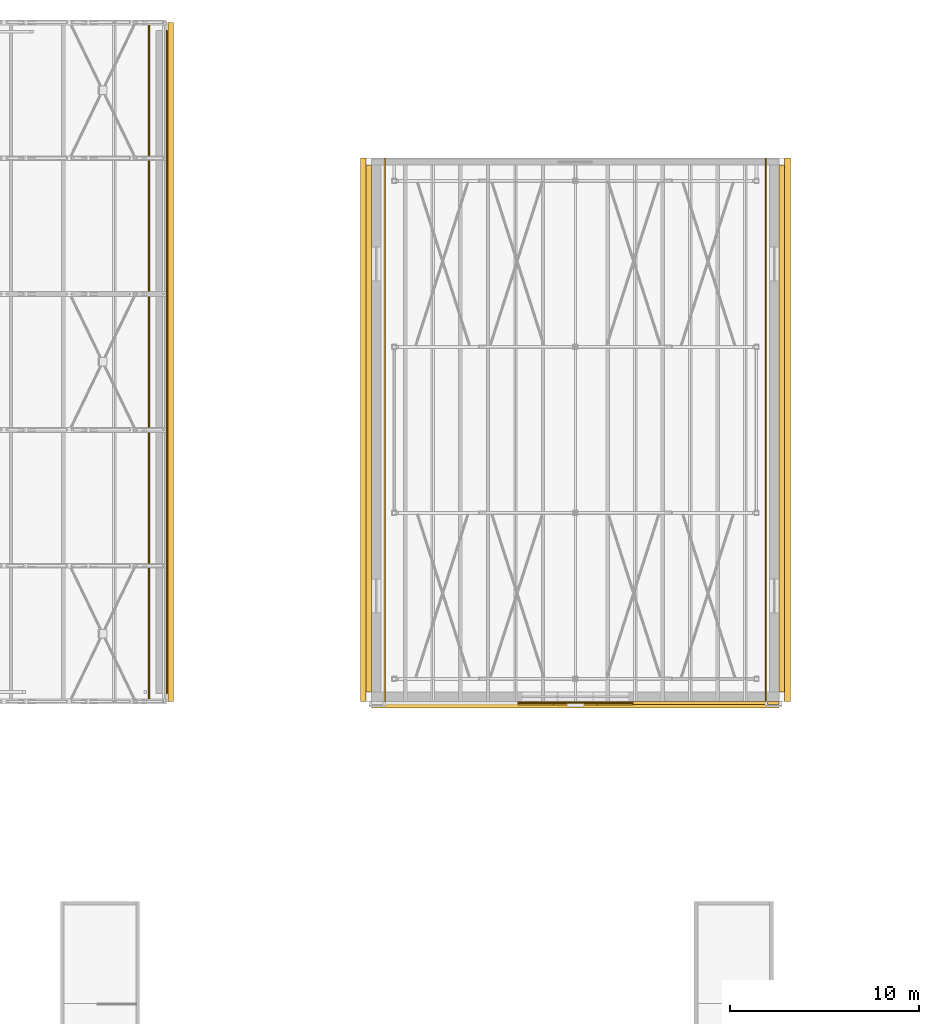
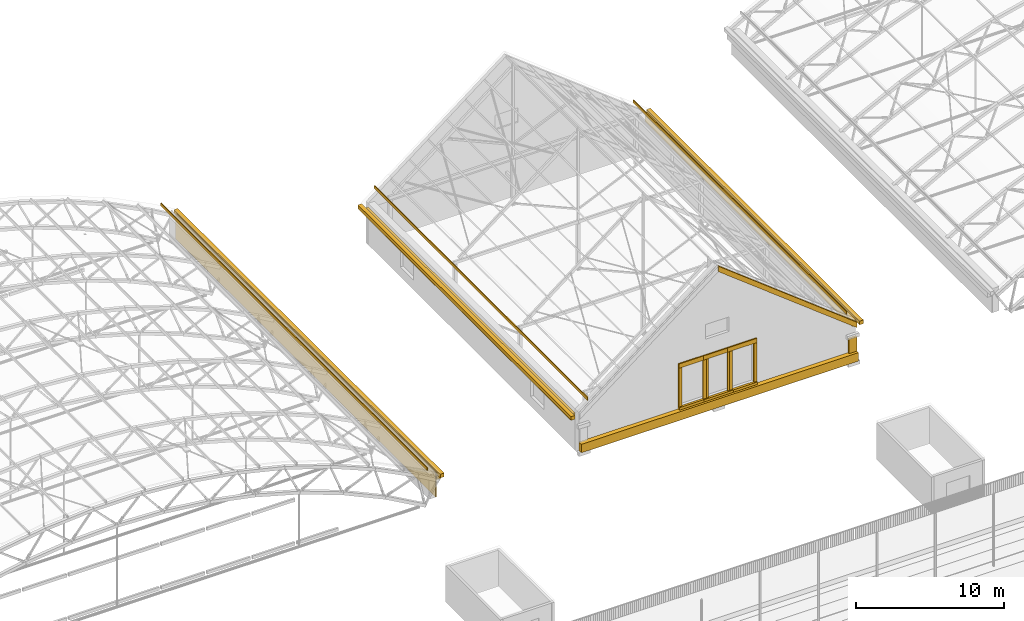
# One storey, part 124 of 127: 25 coverings.
"""IFC4 building model written with IfcOpenShell, lengths in metres."""

from ifc_helpers import new_model, si_unit, direction, frame, origin, origin_2d, place, context, subcontext, project, spatial, polyline, rectangle, outline, extrude, material, layer, layer_set, type_object, element, save


model = new_model("IFC4")

# Units and contexts
model_context = context("Model", 3, precision=1e-05, world=origin(), true_north=direction((0.0, 1.0)))
body_context = subcontext(model_context, "Body", "Model", "MODEL_VIEW")
ifc_project = project(units=[si_unit("LENGTHUNIT", "METRE"), si_unit("AREAUNIT", "SQUARE_METRE"), si_unit("VOLUMEUNIT", "CUBIC_METRE"), si_unit("PLANEANGLEUNIT", "RADIAN"), si_unit("MASSUNIT", "GRAM", prefix="KILO")], contexts=[model_context])

# Site, building, storey
site_placement = place(None, origin())
site = spatial("IfcSite", under=ifc_project, at=site_placement, CompositionType="ELEMENT")
building_placement = place(site_placement, origin())
building = spatial("IfcBuilding", under=site, at=building_placement, Name="Verrick Yard Athletic Hall", CompositionType="ELEMENT")
storey_placement = place(building_placement, frame((0.0, 0.0, 14.0)))
storey = spatial("IfcBuildingStorey", under=building, at=storey_placement, Name="L03", CompositionType="ELEMENT", Elevation=14.0)

# Coverings
ifc_material_1 = material(Name="Heat-traced aluminium gutter", Category="aluminium")
ifc_layer_1 = layer(ifc_material_1, 0.050048828125)
ifc_layer_set_1 = layer_set([ifc_layer_1], Name="Roof gutter")
covering_type_1 = type_object("IfcCoveringType", Name="Roof gutter", PredefinedType="MOLDING", material=ifc_layer_set_1)
covering_1_placement = place(storey_placement, frame((77.35009765625, 90.0, 1.79736328125), z_axis=(0.0, 0.0, 1.0), x_axis=(1.0, 0.0, 0.0)))
element("IfcCovering", 1, at=covering_1_placement, inside=storey, type_object=covering_type_1, Name="Heated eaves gutter BE", PredefinedType="MOLDING", context=body_context, shape_type="SweptSolid", body=[
    extrude(rectangle(XDim=0.300048828125, YDim=36.0, at=origin_2d()), origin(), (0.0, 0.0, 1.0), 0.300048828125),
])
for number, where, z_axis, x_axis, name in (
    (2, (87.550048828125, 86.39990234375, 2.9765625), (0.0, 0.0, 1.0), (1.0, 0.0, 0.0), "Heated eaves gutter climbing W"),
    (3, (110.050048828125, 86.39990234375, 2.9765625), (0.0, 0.0, 1.0), (1.0, 0.0, 0.0), "Heated eaves gutter climbing E"),
):
    element("IfcCovering", number, at=place(storey_placement, frame(where, z_axis=z_axis, x_axis=x_axis)), inside=storey, type_object=covering_type_1, Name=name, PredefinedType="MOLDING", context=body_context, shape_type="SweptSolid", body=[
        extrude(rectangle(XDim=0.300048828125, YDim=28.800048828125, at=origin_2d()), origin(), (0.0, 0.0, 1.0), 0.300048828125),
    ])
ifc_material_2 = material(Name="Anodised aluminium", Category="aluminium")
ifc_layer_2 = layer(ifc_material_2, 0.0625)
ifc_layer_set_2 = layer_set([ifc_layer_2], Name="Snow guard")
covering_type_2 = type_object("IfcCoveringType", Name="Snow guard", PredefinedType="MOLDING", material=ifc_layer_set_2)
covering_2_placement = place(storey_placement, frame((76.199951171875, 72.0, 2.7548828125), z_axis=(0.0, 0.0, 1.0), x_axis=(0.0, 1.0, 0.0)))
element("IfcCovering", 4, at=covering_2_placement, inside=storey, type_object=covering_type_2, Name="Snow guard BE", PredefinedType="MOLDING", context=body_context, shape_type="SweptSolid", body=[
    extrude(outline(polyline([(0.0, 0.0), (36.0, 0.0), (36.0, 0.25), (0.0, 0.25), (0.0, 0.0)])), frame((0.0, 0.03125, 0.0), z_axis=(0.0, -1.0, 0.0), x_axis=(1.0, 0.0, 0.0)), (0.0, 0.0, 1.0), 0.0625),
])
for number, where, z_axis, x_axis, name in (
    (5, (88.699951171875, 72.0, 4.177734375), (0.0, 0.0, 1.0), (0.0, 1.0, 0.0), "Snow guard climbing W"),
    (6, (108.89990234375, 72.0, 4.177734375), (0.0, 0.0, 1.0), (0.0, 1.0, 0.0), "Snow guard climbing E"),
):
    element("IfcCovering", number, at=place(storey_placement, frame(where, z_axis=z_axis, x_axis=x_axis)), inside=storey, type_object=covering_type_2, Name=name, PredefinedType="MOLDING", context=body_context, shape_type="SweptSolid", body=[
        extrude(outline(polyline([(0.0, 0.0), (28.800048828125, 0.0), (28.800048828125, 0.25), (0.0, 0.25), (0.0, 0.0)])), frame((0.0, 0.03125, 0.0), z_axis=(0.0, -1.0, 0.0), x_axis=(1.0, 0.0, 0.0)), (0.0, 0.0, 1.0), 0.0625),
    ])
ifc_material_3 = material(Name="Tyndall-stone-look precast cladding", Category="masonry")
ifc_layer_3 = layer(ifc_material_3, 0.125)
ifc_layer_set_3 = layer_set([ifc_layer_3], Name="Stone cladding")
covering_type_3 = type_object("IfcCoveringType", Name="Stone cladding", PredefinedType="CLADDING", material=ifc_layer_set_3)
covering_3_placement = place(storey_placement, frame((77.112548828125, 90.0, 0.0), z_axis=(0.0, 0.0, 1.0), x_axis=(1.0, 0.0, 0.0)))
element("IfcCovering", 7, at=covering_3_placement, inside=storey, type_object=covering_type_3, Name="Frieze band BE", PredefinedType="CLADDING", context=body_context, shape_type="SweptSolid", body=[
    extrude(rectangle(XDim=0.074951171875, YDim=35.163330078125, at=origin_2d()), origin(), (0.0, 0.0, 1.0), 2.0),
])
covering_4_placement = place(storey_placement, frame((98.800048828125, 71.925048828125, 2.9375), z_axis=(0.0, 0.0, 1.0), x_axis=(1.0, 0.0, 0.0)))
element("IfcCovering", 8, at=covering_4_placement, inside=storey, type_object=covering_type_3, Name="ENVB-CL-S-PED-E", PredefinedType="CLADDING", context=body_context, shape_type="SweptSolid", body=[
    extrude(outline(polyline([(0.0, 8.39990234375), (10.800048828125, 0.0), (10.800048828125, 0.449951171875), (0.0, 8.849853515625), (0.0, 8.39990234375)])), frame((0.0, 0.074951171875, 0.0), z_axis=(0.0, -1.0, 0.0), x_axis=(1.0, 0.0, 0.0)), (0.0, 0.0, 1.0), 0.14990234375),
])
covering_5_placement = place(storey_placement, frame((109.300048828125, 71.925048828125, 1.0), z_axis=(0.0, 0.0, 1.0), x_axis=(1.0, 0.0, 0.0)))
element("IfcCovering", 9, at=covering_5_placement, inside=storey, type_object=covering_type_3, Name="Gable pilaster", PredefinedType="CLADDING", context=body_context, shape_type="SweptSolid", body=[
    extrude(rectangle(XDim=0.60009765625, YDim=0.14990234375, at=origin_2d()), origin(), (0.0, 0.0, 1.0), 1.199951171875),
])
ifc_layer_4 = layer(ifc_material_3, 0.25)
ifc_layer_set_4 = layer_set([ifc_layer_4], Name="Stone moulding")
covering_type_4 = type_object("IfcCoveringType", Name="Stone moulding", PredefinedType="MOLDING", material=ifc_layer_set_4)
covering_6_placement = place(storey_placement, frame((77.28759765625, 90.0, 1.39990234375), z_axis=(0.0, 0.0, 1.0), x_axis=(1.0, 0.0, 0.0)))
element("IfcCovering", 10, at=covering_6_placement, inside=storey, type_object=covering_type_4, Name="Cornice BE", PredefinedType="MOLDING", context=body_context, shape_type="SweptSolid", body=[
    extrude(rectangle(XDim=0.425048828125, YDim=35.163330078125, at=origin_2d()), origin(), (0.0, 0.0, 1.0), 0.60009765625),
])
for number, where, z_axis, x_axis, name in (
    (11, (87.824951171875, 86.47509765625, 2.60009765625), (0.0, 0.0, 1.0), (0.0, 1.0, 0.0), "Cornice"),
    (12, (109.77490234375, 86.47509765625, 2.60009765625), (0.0, 0.0, 1.0), (0.0, 1.0, 0.0), "Cornice"),
):
    element("IfcCovering", number, at=place(storey_placement, frame(where, z_axis=z_axis, x_axis=x_axis)), inside=storey, type_object=covering_type_4, Name=name, PredefinedType="MOLDING", context=body_context, shape_type="SweptSolid", body=[
        extrude(rectangle(XDim=27.949951171875, YDim=0.35009765625, at=origin_2d()), origin(), (0.0, 0.0, 1.0), 0.5),
    ])
covering_7_placement = place(storey_placement, frame((98.800048828125, 71.824951171875, 0.2998046875), z_axis=(0.0, 0.0, 1.0), x_axis=(1.0, 0.0, 0.0)))
element("IfcCovering", 13, at=covering_7_placement, inside=storey, type_object=covering_type_4, Name="Gable entablature", PredefinedType="MOLDING", context=body_context, shape_type="SweptSolid", body=[
    extrude(rectangle(XDim=21.60009765625, YDim=0.35009765625, at=origin_2d()), origin(), (0.0, 0.0, 1.0), 0.699951171875),
])
covering_8_placement = place(storey_placement, frame((96.89990234375, 71.909912109375, 1.0), z_axis=(0.0, 0.0, 1.0), x_axis=(1.0, 0.0, 0.0)))
element("IfcCovering", 14, at=covering_8_placement, inside=storey, type_object=covering_type_4, Name="Window sill", PredefinedType="MOLDING", context=body_context, shape_type="SweptSolid", body=[
    extrude(rectangle(XDim=2.300048828125, YDim=0.179931640625, at=origin_2d()), origin(), (0.0, 0.0, 1.0), 0.199951171875),
])
covering_9_placement = place(storey_placement, frame((96.89990234375, 71.949951171875, 4.39990234375), z_axis=(0.0, 0.0, 1.0), x_axis=(1.0, 0.0, 0.0)))
element("IfcCovering", 15, at=covering_9_placement, inside=storey, type_object=covering_type_4, Name="Window head", PredefinedType="MOLDING", context=body_context, shape_type="SweptSolid", body=[
    extrude(rectangle(XDim=2.300048828125, YDim=0.10009765625, at=origin_2d()), origin(), (0.0, 0.0, 1.0), 0.35009765625),
])
for number, where, z_axis, x_axis, name in (
    (16, (95.875, 71.949951171875, 1.2001953125), (0.0, 0.0, 1.0), (1.0, 0.0, 0.0), "Window jamb"),
    (17, (97.925048828125, 71.949951171875, 1.2001953125), (0.0, 0.0, 1.0), (1.0, 0.0, 0.0), "Window jamb"),
):
    element("IfcCovering", number, at=place(storey_placement, frame(where, z_axis=z_axis, x_axis=x_axis)), inside=storey, type_object=covering_type_4, Name=name, PredefinedType="MOLDING", context=body_context, shape_type="SweptSolid", body=[
        extrude(rectangle(XDim=0.25, YDim=0.10009765625, at=origin_2d()), origin(), (0.0, 0.0, 1.0), 3.199951171875),
    ])
covering_10_placement = place(storey_placement, frame((98.800048828125, 71.909912109375, 1.0), z_axis=(0.0, 0.0, 1.0), x_axis=(1.0, 0.0, 0.0)))
element("IfcCovering", 18, at=covering_10_placement, inside=storey, type_object=covering_type_4, Name="Window sill", PredefinedType="MOLDING", context=body_context, shape_type="SweptSolid", body=[
    extrude(rectangle(XDim=2.300048828125, YDim=0.179931640625, at=origin_2d()), origin(), (0.0, 0.0, 1.0), 0.199951171875),
])
covering_11_placement = place(storey_placement, frame((98.800048828125, 71.949951171875, 4.39990234375), z_axis=(0.0, 0.0, 1.0), x_axis=(1.0, 0.0, 0.0)))
element("IfcCovering", 19, at=covering_11_placement, inside=storey, type_object=covering_type_4, Name="Window head", PredefinedType="MOLDING", context=body_context, shape_type="SweptSolid", body=[
    extrude(rectangle(XDim=2.300048828125, YDim=0.10009765625, at=origin_2d()), origin(), (0.0, 0.0, 1.0), 0.35009765625),
])
for number, where, z_axis, x_axis, name in (
    (20, (97.77490234375, 71.949951171875, 1.2001953125), (0.0, 0.0, 1.0), (1.0, 0.0, 0.0), "Window jamb"),
    (21, (99.824951171875, 71.949951171875, 1.2001953125), (0.0, 0.0, 1.0), (1.0, 0.0, 0.0), "Window jamb"),
):
    element("IfcCovering", number, at=place(storey_placement, frame(where, z_axis=z_axis, x_axis=x_axis)), inside=storey, type_object=covering_type_4, Name=name, PredefinedType="MOLDING", context=body_context, shape_type="SweptSolid", body=[
        extrude(rectangle(XDim=0.25, YDim=0.10009765625, at=origin_2d()), origin(), (0.0, 0.0, 1.0), 3.199951171875),
    ])
covering_12_placement = place(storey_placement, frame((100.699951171875, 71.909912109375, 1.0), z_axis=(0.0, 0.0, 1.0), x_axis=(1.0, 0.0, 0.0)))
element("IfcCovering", 22, at=covering_12_placement, inside=storey, type_object=covering_type_4, Name="Window sill", PredefinedType="MOLDING", context=body_context, shape_type="SweptSolid", body=[
    extrude(rectangle(XDim=2.300048828125, YDim=0.179931640625, at=origin_2d()), origin(), (0.0, 0.0, 1.0), 0.199951171875),
])
covering_13_placement = place(storey_placement, frame((100.699951171875, 71.949951171875, 4.39990234375), z_axis=(0.0, 0.0, 1.0), x_axis=(1.0, 0.0, 0.0)))
element("IfcCovering", 23, at=covering_13_placement, inside=storey, type_object=covering_type_4, Name="Window head", PredefinedType="MOLDING", context=body_context, shape_type="SweptSolid", body=[
    extrude(rectangle(XDim=2.300048828125, YDim=0.10009765625, at=origin_2d()), origin(), (0.0, 0.0, 1.0), 0.35009765625),
])
for number, where, z_axis, x_axis, name in (
    (24, (99.675048828125, 71.949951171875, 1.2001953125), (0.0, 0.0, 1.0), (1.0, 0.0, 0.0), "Window jamb"),
    (25, (101.72509765625, 71.949951171875, 1.2001953125), (0.0, 0.0, 1.0), (1.0, 0.0, 0.0), "Window jamb"),
):
    element("IfcCovering", number, at=place(storey_placement, frame(where, z_axis=z_axis, x_axis=x_axis)), inside=storey, type_object=covering_type_4, Name=name, PredefinedType="MOLDING", context=body_context, shape_type="SweptSolid", body=[
        extrude(rectangle(XDim=0.25, YDim=0.10009765625, at=origin_2d()), origin(), (0.0, 0.0, 1.0), 3.199951171875),
    ])

save(model, "model.ifc")
